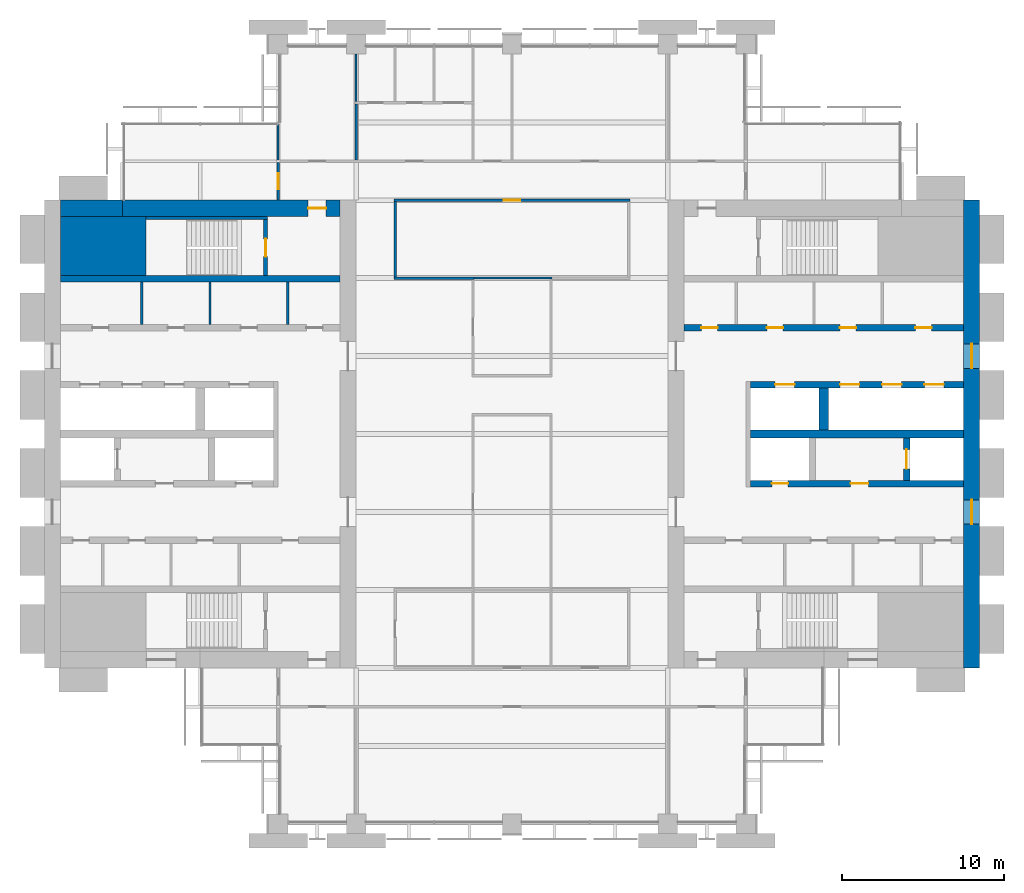
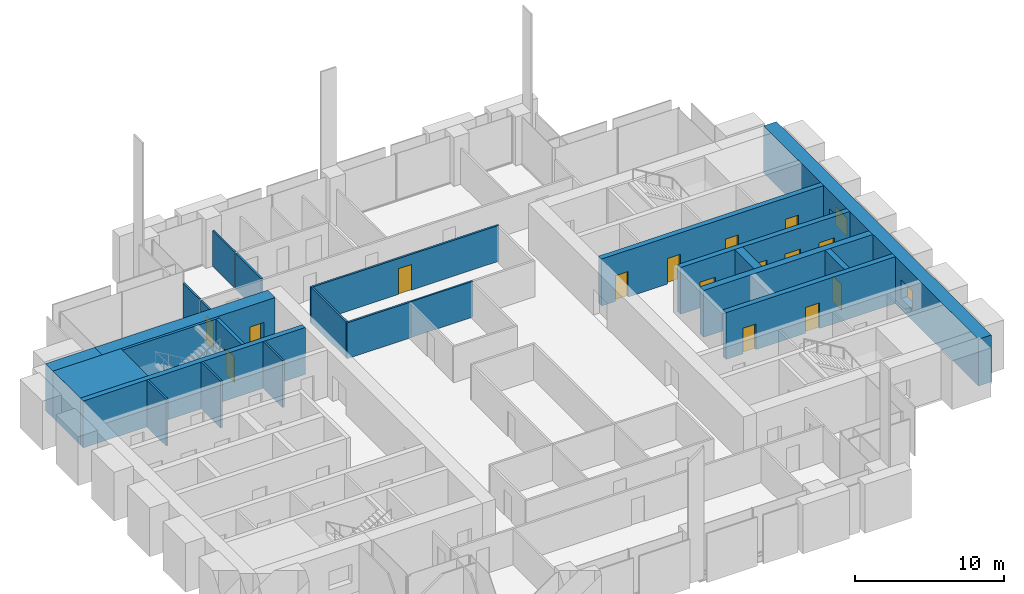
# One storey, part 11 of 14: 24 walls, 15 doors, 2 windows, 17 openings.
"""IFC4 building model written with IfcOpenShell, lengths in metres."""

from ifc_helpers import new_model, si_unit, direction, frame, frame_2d, origin, place, context, subcontext, project, spatial, rectangle, extrude, material, layer, layer_set, type_object, element, fill, save


model = new_model("IFC4")

# Units and contexts
model_context = context("Model", 3, precision=1e-05, world=origin(), true_north=direction((0.0, 1.0)))
body_context = subcontext(model_context, "Body", "Model", "MODEL_VIEW")
ifc_project = project(units=[si_unit("LENGTHUNIT", "METRE"), si_unit("AREAUNIT", "SQUARE_METRE"), si_unit("VOLUMEUNIT", "CUBIC_METRE"), si_unit("PLANEANGLEUNIT", "RADIAN"), si_unit("MASSUNIT", "GRAM", prefix="KILO")], contexts=[model_context])

# Site, building, storey
site_placement = place(None, origin())
site = spatial("IfcSite", under=ifc_project, at=site_placement, CompositionType="ELEMENT")
building_placement = place(site_placement, origin())
building = spatial("IfcBuilding", under=site, at=building_placement, Name="Baori Bourse Tower", CompositionType="ELEMENT")
storey_placement = place(building_placement, frame((0.0, 0.0, 132.10009765625)))
storey = spatial("IfcBuildingStorey", under=building, at=storey_placement, Name="L28", CompositionType="ELEMENT", Elevation=132.10009765625)

# Walls
ifc_material_1 = material(Name="Concrete f'c 60 MPa", Category="concrete")
wall_type_1 = type_object("IfcWallType", Name="Core corner block f'c 60", PredefinedType="SHEAR", material=ifc_material_1)
wall_1_placement = place(storey_placement, frame((1.0, 35.574951171875, 0.0), z_axis=(0.0, 0.0, 1.0), x_axis=(1.0, 0.0, 0.0)))
element("IfcWall", 1, at=wall_1_placement, inside=storey, type_object=wall_type_1, Name="Core wall W26", PredefinedType="SHEAR", context=body_context, shape_type="SweptSolid", body=[
    extrude(rectangle(XDim=5.25, YDim=3.64990234375, at=frame_2d((2.625, 0.0))), origin(), (0.0, 0.0, 1.0), 3.83984375),
])
ifc_material_2 = material(Name="Blockwork partition", Category="masonry")
ifc_layer_1 = layer(ifc_material_2, 0.14990234375)
ifc_layer_set_1 = layer_set([ifc_layer_1], Name="Core partition 150")
wall_type_2 = type_object("IfcWallType", Name="Core partition 150", PredefinedType="PARTITIONING", material=ifc_layer_set_1)
for number, where, z_axis, x_axis, name in (
    (2, (6.0, 30.75, 0.0), (0.0, 0.0, 1.0), (0.0, 1.0, 0.0), "Partition wall W22"),
    (3, (10.199951171875, 30.75, 0.0), (0.0, 0.0, 1.0), (0.0, 1.0, 0.0), "Partition wall W23"),
    (4, (15.0, 30.75, 0.0), (0.0, 0.0, 1.0), (0.0, 1.0, 0.0), "Partition wall W24"),
):
    element("IfcWall", number, at=place(storey_placement, frame(where, z_axis=z_axis, x_axis=x_axis)), inside=storey, type_object=wall_type_2, Name=name, PredefinedType="PARTITIONING", context=body_context, shape_type="SweptSolid", body=[
        extrude(rectangle(XDim=2.60009765625, YDim=0.14990234375, at=frame_2d((1.300048828125, 0.0))), origin(), (0.0, 0.0, 1.0), 3.83984375),
    ])
ifc_material_3 = material(Name="Concrete f'c 60 MPa", Category="concrete")
ifc_layer_2 = layer(ifc_material_3, 1.0)
ifc_layer_set_2 = layer_set([ifc_layer_2], Name="Core wall 1000 f'c 60")
wall_type_3 = type_object("IfcWallType", Name="Core wall 1000 f'c 60", PredefinedType="SHEAR", material=ifc_layer_set_2)
wall_2_placement = place(storey_placement, frame((1.0, 37.89990234375, 0.0), z_axis=(0.0, 0.0, 1.0), x_axis=(1.0, 0.0, 0.0)))
element("IfcWall", 5, at=wall_2_placement, inside=storey, type_object=wall_type_3, Name="Core wall W29", PredefinedType="SHEAR", context=body_context, shape_type="SweptSolid", body=[
    extrude(rectangle(XDim=3.800048828125, YDim=1.0, at=frame_2d((1.89990234375, 0.0))), origin(), (0.0, 0.0, 1.0), 3.83984375),
])

# Wall, opening, door
wall_3_placement = place(storey_placement, frame((4.800048828125, 37.89990234375, 0.0), z_axis=(0.0, 0.0, 1.0), x_axis=(1.0, 0.0, 0.0)))
wall_3 = element("IfcWall", 6, at=wall_3_placement, inside=storey, type_object=wall_type_3, Name="Core wall W30", PredefinedType="SHEAR", context=body_context, shape_type="SweptSolid", body=[
    extrude(rectangle(XDim=13.39990234375, YDim=1.0, at=frame_2d((6.699951171875, 0.0))), origin(), (0.0, 0.0, 1.0), 3.83984375),
])
opening_1_placement = place(wall_3_placement, frame((11.449951171875, 0.0, 0.0)))
opening_1 = element("IfcOpeningElement", 7, at=opening_1_placement, cuts=wall_3, Name="Opening L28-D104", PredefinedType="OPENING", context=body_context, shape_type="SweptSolid", body=[
    extrude(rectangle(XDim=1.10009765625, YDim=2.10009765625, at=frame_2d((0.550048828125, 1.050048828125))), frame((0.0, 0.510009765625, 0.0), z_axis=(0.0, -1.0, 0.0), x_axis=(1.0, 0.0, 0.0)), (0.0, 0.0, 1.0), 1.02001953125),
])
ifc_material_4 = material(Name="Painted steel door", Category="steel")
door_type_1 = type_object("IfcDoorType", Name="Stair door 1100", OperationType="SINGLE_SWING_LEFT", PredefinedType="DOOR", material=ifc_material_4)
door_1_placement = place(opening_1_placement, origin())
door_1 = element("IfcDoor", 8, at=door_1_placement, inside=storey, type_object=door_type_1, Name="Stair vestibule door B W L28", OperationType="SINGLE_SWING_LEFT", OverallHeight=2.10009765625, OverallWidth=1.10009765625, PredefinedType="DOOR", context=body_context, shape_type="SweptSolid", body=[
    extrude(rectangle(XDim=1.10009765625, YDim=2.10009765625, at=frame_2d((0.550048828125, 1.050048828125))), frame((0.0, 0.02490234375, 0.0), z_axis=(0.0, -1.0, 0.0), x_axis=(1.0, 0.0, 0.0)), (0.0, 0.0, 1.0), 0.050048828125),
])
fill(opening_1, door_1)

# Wall, openings, windows
wall_4_placement = place(storey_placement, frame((57.10009765625, 38.39990234375, 0.0), z_axis=(0.0, 0.0, 1.0), x_axis=(0.0, -1.0, 0.0)))
wall_4 = element("IfcWall", 9, at=wall_4_placement, inside=storey, type_object=wall_type_3, Name="Core wall E01", PredefinedType="SHEAR", context=body_context, shape_type="SweptSolid", body=[
    extrude(rectangle(XDim=28.7998046875, YDim=1.0, at=frame_2d((14.39990234375, 0.0))), origin(), (0.0, 0.0, 1.0), 3.83984375),
])
opening_2_placement = place(wall_4_placement, frame((18.449951171875, 0.0, 0.89990234375)))
opening_2 = element("IfcOpeningElement", 10, at=opening_2_placement, cuts=wall_4, Name="Opening L28-KW201", PredefinedType="OPENING", context=body_context, shape_type="SweptSolid", body=[
    extrude(rectangle(XDim=1.5, YDim=1.5, at=frame_2d((0.75, 0.75))), frame((0.0, 0.510009765625, 0.0), z_axis=(0.0, -1.0, 0.0), x_axis=(1.0, 0.0, 0.0)), (0.0, 0.0, 1.0), 1.02001953125),
])
opening_3_placement = place(wall_4_placement, frame((8.85009765625, 0.0, 0.89990234375)))
opening_3 = element("IfcOpeningElement", 11, at=opening_3_placement, cuts=wall_4, Name="Opening L28-KW202", PredefinedType="OPENING", context=body_context, shape_type="SweptSolid", body=[
    extrude(rectangle(XDim=1.5, YDim=1.5, at=frame_2d((0.75, 0.75))), frame((0.0, 0.510009765625, 0.0), z_axis=(0.0, -1.0, 0.0), x_axis=(1.0, 0.0, 0.0)), (0.0, 0.0, 1.0), 1.02001953125),
])
ifc_material_5 = material(Name="Pale anodised aluminium", Category="aluminium")
window_type = type_object("IfcWindowType", Name="Lobby window 1500 x 1500", PartitioningType="SINGLE_PANEL", PredefinedType="WINDOW", material=ifc_material_5)
window_1_placement = place(opening_2_placement, origin())
window_1 = element("IfcWindow", 12, at=window_1_placement, inside=storey, type_object=window_type, Name="Outer wall window E L28 1", OverallHeight=1.5, OverallWidth=1.5, PartitioningType="SINGLE_PANEL", PredefinedType="WINDOW", context=body_context, shape_type="SweptSolid", body=[
    extrude(rectangle(XDim=1.5, YDim=1.5, at=frame_2d((0.75, 0.75))), frame((0.0, 0.030029296875, 0.0), z_axis=(0.0, -1.0, 0.0), x_axis=(1.0, 0.0, 0.0)), (0.0, 0.0, 1.0), 0.06005859375),
])
fill(opening_2, window_1)
window_2_placement = place(opening_3_placement, origin())
window_2 = element("IfcWindow", 13, at=window_2_placement, inside=storey, type_object=window_type, Name="Outer wall window E L28 2", OverallHeight=1.5, OverallWidth=1.5, PartitioningType="SINGLE_PANEL", PredefinedType="WINDOW", context=body_context, shape_type="SweptSolid", body=[
    extrude(rectangle(XDim=1.5, YDim=1.5, at=frame_2d((0.75, 0.75))), frame((0.0, 0.030029296875, 0.0), z_axis=(0.0, -1.0, 0.0), x_axis=(1.0, 0.0, 0.0)), (0.0, 0.0, 1.0), 0.06005859375),
])
fill(opening_3, window_2)

# Wall
ifc_material_6 = material(Name="Gypsum board partition")
ifc_layer_3 = layer(ifc_material_6, 0.14990234375)
ifc_layer_set_3 = layer_set([ifc_layer_3], Name="Corridor partition 150")
wall_type_4 = type_object("IfcWallType", Name="Corridor partition 150", PredefinedType="PARTITIONING", material=ifc_layer_set_3)
wall_5_placement = place(storey_placement, frame((21.52490234375, 33.60009765625, 0.0), z_axis=(0.0, 0.0, 1.0), x_axis=(1.0, 0.0, 0.0)))
element("IfcWall", 14, at=wall_5_placement, inside=storey, type_object=wall_type_4, Name="Partition", PredefinedType="PARTITIONING", context=body_context, shape_type="SweptSolid", body=[
    extrude(rectangle(XDim=4.9501953125, YDim=0.14990234375, at=frame_2d((2.47509765625, 0.0))), origin(), (0.0, 0.0, 1.0), 2.935546875),
])

# Wall, opening, door
wall_6_placement = place(storey_placement, frame((21.52490234375, 38.39990234375, 0.0), z_axis=(0.0, 0.0, 1.0), x_axis=(1.0, 0.0, 0.0)))
wall_6 = element("IfcWall", 15, at=wall_6_placement, inside=storey, type_object=wall_type_4, Name="Partition", PredefinedType="PARTITIONING", context=body_context, shape_type="SweptSolid", body=[
    extrude(rectangle(XDim=14.550048828125, YDim=0.14990234375, at=frame_2d((7.27490234375, 0.0))), origin(), (0.0, 0.0, 1.0), 2.935546875),
])
opening_4_placement = place(wall_6_placement, frame((6.77490234375, 0.0, 0.0)))
opening_4 = element("IfcOpeningElement", 16, at=opening_4_placement, cuts=wall_6, Name="Opening L28-D06", PredefinedType="OPENING", context=body_context, shape_type="SweptSolid", body=[
    extrude(rectangle(XDim=1.0, YDim=2.10009765625, at=frame_2d((0.5, 1.050048828125))), frame((0.0, 0.0849609375, 0.0), z_axis=(0.0, -1.0, 0.0), x_axis=(1.0, 0.0, 0.0)), (0.0, 0.0, 1.0), 0.169921875),
])
ifc_material_7 = material(Name="Timber door leaf", Category="wood")
door_type_2 = type_object("IfcDoorType", Name="Door 1000 x 2100", OperationType="SINGLE_SWING_LEFT", PredefinedType="DOOR", material=ifc_material_7)
door_2_placement = place(opening_4_placement, origin())
door_2 = element("IfcDoor", 17, at=door_2_placement, inside=storey, type_object=door_type_2, Name="Door", OperationType="SINGLE_SWING_LEFT", OverallHeight=2.10009765625, OverallWidth=1.0, PredefinedType="DOOR", context=body_context, shape_type="SweptSolid", body=[
    extrude(rectangle(XDim=1.0, YDim=2.10009765625, at=frame_2d((0.5, 1.050048828125))), frame((0.0, 0.02490234375, 0.0), z_axis=(0.0, -1.0, 0.0), x_axis=(1.0, 0.0, 0.0)), (0.0, 0.0, 1.0), 0.050048828125),
])
fill(opening_4, door_2)

wall_7_placement = place(storey_placement, frame((14.39990234375, 38.39990234375, 0.0), z_axis=(0.0, 0.0, 1.0), x_axis=(0.0, 1.0, 0.0)))
wall_7 = element("IfcWall", 18, at=wall_7_placement, inside=storey, type_object=wall_type_4, Name="Partition", PredefinedType="PARTITIONING", context=body_context, shape_type="SweptSolid", body=[
    extrude(rectangle(XDim=2.3251953125, YDim=0.14990234375, at=frame_2d((1.16259765625, 0.0))), origin(), (0.0, 0.0, 1.0), 2.935546875),
])
opening_5_placement = place(wall_7_placement, frame((0.66259765625, 0.0, 0.0)))
opening_5 = element("IfcOpeningElement", 19, at=opening_5_placement, cuts=wall_7, Name="Opening L28-D16", PredefinedType="OPENING", context=body_context, shape_type="SweptSolid", body=[
    extrude(rectangle(XDim=1.0, YDim=2.10009765625, at=frame_2d((0.5, 1.050048828125))), frame((0.0, 0.0849609375, 0.0), z_axis=(0.0, -1.0, 0.0), x_axis=(1.0, 0.0, 0.0)), (0.0, 0.0, 1.0), 0.169921875),
])
door_3_placement = place(opening_5_placement, origin())
door_3 = element("IfcDoor", 20, at=door_3_placement, inside=storey, type_object=door_type_2, Name="Door", OperationType="SINGLE_SWING_RIGHT", OverallHeight=2.10009765625, OverallWidth=1.0, PredefinedType="DOOR", context=body_context, shape_type="SweptSolid", body=[
    extrude(rectangle(XDim=1.0, YDim=2.10009765625, at=frame_2d((0.5, 1.050048828125))), frame((0.0, 0.02490234375, 0.0), z_axis=(0.0, -1.0, 0.0), x_axis=(1.0, 0.0, 0.0)), (0.0, 0.0, 1.0), 0.050048828125),
])
fill(opening_5, door_3)

# Walls
wall_8_placement = place(storey_placement, frame((19.199951171875, 40.875, 0.0), z_axis=(0.0, 0.0, 1.0), x_axis=(0.0, 1.0, 0.0)))
element("IfcWall", 21, at=wall_8_placement, inside=storey, type_object=wall_type_4, Name="Partition", PredefinedType="PARTITIONING", context=body_context, shape_type="SweptSolid", body=[
    extrude(rectangle(XDim=3.449951171875, YDim=0.14990234375, at=frame_2d((1.72509765625, 0.0))), origin(), (0.0, 0.0, 1.0), 2.935546875),
])
wall_9_placement = place(storey_placement, frame((21.60009765625, 33.675048828125, 0.0), z_axis=(0.0, 0.0, 1.0), x_axis=(0.0, 1.0, 0.0)))
element("IfcWall", 22, at=wall_9_placement, inside=storey, type_object=wall_type_4, Name="Partition", PredefinedType="PARTITIONING", context=body_context, shape_type="SweptSolid", body=[
    extrude(rectangle(XDim=4.64990234375, YDim=0.14990234375, at=frame_2d((2.324951171875, 0.0))), origin(), (0.0, 0.0, 1.0), 2.935546875),
])
ifc_material_8 = material(Name="Gypsum board partition")
ifc_layer_4 = layer(ifc_material_8, 0.125)
ifc_layer_set_4 = layer_set([ifc_layer_4], Name="Partition 125")
wall_type_5 = type_object("IfcWallType", Name="Partition 125", PredefinedType="PARTITIONING", material=ifc_layer_set_4)
wall_10_placement = place(storey_placement, frame((26.47509765625, 33.60009765625, 0.0), z_axis=(0.0, 0.0, 1.0), x_axis=(1.0, 0.0, 0.0)))
element("IfcWall", 23, at=wall_10_placement, inside=storey, type_object=wall_type_5, Name="Partition", PredefinedType="PARTITIONING", context=body_context, shape_type="SweptSolid", body=[
    extrude(rectangle(XDim=4.7998046875, YDim=0.125, at=frame_2d((2.39990234375, 0.0))), origin(), (0.0, 0.0, 1.0), 2.935546875),
])
wall_11_placement = place(storey_placement, frame((14.39990234375, 40.875, 0.0), z_axis=(0.0, 0.0, 1.0), x_axis=(0.0, 1.0, 0.0)))
element("IfcWall", 24, at=wall_11_placement, inside=storey, type_object=wall_type_5, Name="Partition", PredefinedType="PARTITIONING", context=body_context, shape_type="SweptSolid", body=[
    extrude(rectangle(XDim=2.22509765625, YDim=0.125, at=frame_2d((1.112548828125, 0.0))), origin(), (0.0, 0.0, 1.0), 2.935546875),
])
wall_12_placement = place(storey_placement, frame((19.199951171875, 44.47509765625, 0.0), z_axis=(0.0, 0.0, 1.0), x_axis=(0.0, 1.0, 0.0)))
element("IfcWall", 25, at=wall_12_placement, inside=storey, type_object=wall_type_5, Name="Partition", PredefinedType="PARTITIONING", context=body_context, shape_type="SweptSolid", body=[
    extrude(rectangle(XDim=2.9248046875, YDim=0.125, at=frame_2d((1.46240234375, 0.0))), origin(), (0.0, 0.0, 1.0), 2.935546875),
])
ifc_material_9 = material(Name="Concrete f'c 60 MPa", Category="concrete")
ifc_layer_5 = layer(ifc_material_9, 0.199951171875)
ifc_layer_set_5 = layer_set([ifc_layer_5], Name="Shaft wall 200 f'c 60")
wall_type_6 = type_object("IfcWallType", Name="Shaft wall 200 f'c 60", PredefinedType="SHEAR", material=ifc_layer_set_5)
wall_13_placement = place(storey_placement, frame((6.25, 37.300048828125, 0.0), z_axis=(0.0, 0.0, 1.0), x_axis=(1.0, 0.0, 0.0)))
element("IfcWall", 26, at=wall_13_placement, inside=storey, type_object=wall_type_6, Name="Core wall W28", PredefinedType="SHEAR", context=body_context, shape_type="SweptSolid", body=[
    extrude(rectangle(XDim=7.5, YDim=0.199951171875, at=frame_2d((3.75, 0.0))), origin(), (0.0, 0.0, 1.0), 3.83984375),
])

# Wall, opening, door
ifc_material_10 = material(Name="Concrete f'c 60 MPa", Category="concrete")
ifc_layer_6 = layer(ifc_material_10, 0.25)
ifc_layer_set_6 = layer_set([ifc_layer_6], Name="Shaft wall 250 f'c 60")
wall_type_7 = type_object("IfcWallType", Name="Shaft wall 250 f'c 60", PredefinedType="SHEAR", material=ifc_layer_set_6)
wall_14_placement = place(storey_placement, frame((13.625, 33.75, 0.0), z_axis=(0.0, 0.0, 1.0), x_axis=(0.0, 1.0, 0.0)))
wall_14 = element("IfcWall", 27, at=wall_14_placement, inside=storey, type_object=wall_type_7, Name="Core wall W27", PredefinedType="SHEAR", context=body_context, shape_type="SweptSolid", body=[
    extrude(rectangle(XDim=3.449951171875, YDim=0.25, at=frame_2d((1.72509765625, 0.0))), origin(), (0.0, 0.0, 1.0), 3.83984375),
])
opening_6_placement = place(wall_14_placement, frame((1.175048828125, 0.0, 0.0)))
opening_6 = element("IfcOpeningElement", 28, at=opening_6_placement, cuts=wall_14, Name="Opening L28-D103", PredefinedType="OPENING", context=body_context, shape_type="SweptSolid", body=[
    extrude(rectangle(XDim=1.10009765625, YDim=2.10009765625, at=frame_2d((0.550048828125, 1.050048828125))), frame((0.0, 0.135009765625, 0.0), z_axis=(0.0, -1.0, 0.0), x_axis=(1.0, 0.0, 0.0)), (0.0, 0.0, 1.0), 0.27001953125),
])
door_4_placement = place(opening_6_placement, origin())
door_4 = element("IfcDoor", 29, at=door_4_placement, inside=storey, type_object=door_type_1, Name="Stair door B W L28", OperationType="SINGLE_SWING_LEFT", OverallHeight=2.10009765625, OverallWidth=1.10009765625, PredefinedType="DOOR", context=body_context, shape_type="SweptSolid", body=[
    extrude(rectangle(XDim=1.10009765625, YDim=2.10009765625, at=frame_2d((0.550048828125, 1.050048828125))), frame((0.0, 0.02490234375, 0.0), z_axis=(0.0, -1.0, 0.0), x_axis=(1.0, 0.0, 0.0)), (0.0, 0.0, 1.0), 0.050048828125),
])
fill(opening_6, door_4)

# Wall
ifc_material_11 = material(Name="Concrete f'c 60 MPa", Category="concrete")
ifc_layer_7 = layer(ifc_material_11, 0.39990234375)
ifc_layer_set_7 = layer_set([ifc_layer_7], Name="Shaft wall 400 f'c 60")
wall_type_8 = type_object("IfcWallType", Name="Shaft wall 400 f'c 60", PredefinedType="SHEAR", material=ifc_layer_set_7)
wall_15_placement = place(storey_placement, frame((1.0, 33.550048828125, 0.0), z_axis=(0.0, 0.0, 1.0), x_axis=(1.0, 0.0, 0.0)))
element("IfcWall", 30, at=wall_15_placement, inside=storey, type_object=wall_type_8, Name="Core wall W25", PredefinedType="SHEAR", context=body_context, shape_type="SweptSolid", body=[
    extrude(rectangle(XDim=17.199951171875, YDim=0.39990234375, at=frame_2d((8.60009765625, 0.0))), origin(), (0.0, 0.0, 1.0), 3.83984375),
])

# Wall, openings, doors
wall_16_placement = place(storey_placement, frame((43.5, 20.949951171875, 0.0), z_axis=(0.0, 0.0, 1.0), x_axis=(1.0, 0.0, 0.0)))
wall_16 = element("IfcWall", 31, at=wall_16_placement, inside=storey, type_object=wall_type_8, Name="Core wall E14", PredefinedType="SHEAR", context=body_context, shape_type="SweptSolid", body=[
    extrude(rectangle(XDim=13.10009765625, YDim=0.39990234375, at=frame_2d((6.550048828125, 0.0))), origin(), (0.0, 0.0, 1.0), 3.83984375),
])
opening_7_placement = place(wall_16_placement, frame((6.14990234375, 0.0, 0.0)))
opening_7 = element("IfcOpeningElement", 32, at=opening_7_placement, cuts=wall_16, Name="Opening L28-D205", PredefinedType="OPENING", context=body_context, shape_type="SweptSolid", body=[
    extrude(rectangle(XDim=1.10009765625, YDim=2.10009765625, at=frame_2d((0.550048828125, 1.050048828125))), frame((0.0, 0.2099609375, 0.0), z_axis=(0.0, -1.0, 0.0), x_axis=(1.0, 0.0, 0.0)), (0.0, 0.0, 1.0), 0.419921875),
])
opening_8_placement = place(wall_16_placement, frame((1.300048828125, 0.0, 0.0)))
opening_8 = element("IfcOpeningElement", 33, at=opening_8_placement, cuts=wall_16, Name="Opening L28-D206", PredefinedType="OPENING", context=body_context, shape_type="SweptSolid", body=[
    extrude(rectangle(XDim=1.0, YDim=2.10009765625, at=frame_2d((0.5, 1.050048828125))), frame((0.0, 0.2099609375, 0.0), z_axis=(0.0, -1.0, 0.0), x_axis=(1.0, 0.0, 0.0)), (0.0, 0.0, 1.0), 0.419921875),
])
ifc_material_12 = material(Name="Painted steel door", Category="steel")
door_type_3 = type_object("IfcDoorType", Name="Lobby door 1100", OperationType="SINGLE_SWING_LEFT", PredefinedType="DOOR", material=ifc_material_12)
door_5_placement = place(opening_7_placement, origin())
door_5 = element("IfcDoor", 34, at=door_5_placement, inside=storey, type_object=door_type_3, Name="Firefighting lobby door E L28", OperationType="SINGLE_SWING_LEFT", OverallHeight=2.10009765625, OverallWidth=1.10009765625, PredefinedType="DOOR", context=body_context, shape_type="SweptSolid", body=[
    extrude(rectangle(XDim=1.10009765625, YDim=2.10009765625, at=frame_2d((0.550048828125, 1.050048828125))), frame((0.0, 0.02490234375, 0.0), z_axis=(0.0, -1.0, 0.0), x_axis=(1.0, 0.0, 0.0)), (0.0, 0.0, 1.0), 0.050048828125),
])
fill(opening_7, door_5)
ifc_material_13 = material(Name="Painted steel door", Category="steel")
door_type_4 = type_object("IfcDoorType", Name="Shaft door 1000", OperationType="SINGLE_SWING_LEFT", PredefinedType="DOOR", material=ifc_material_13)
door_6_placement = place(opening_8_placement, origin())
door_6 = element("IfcDoor", 35, at=door_6_placement, inside=storey, type_object=door_type_4, Name="Riser room door E L28", OperationType="SINGLE_SWING_LEFT", OverallHeight=2.10009765625, OverallWidth=1.0, PredefinedType="DOOR", context=body_context, shape_type="SweptSolid", body=[
    extrude(rectangle(XDim=1.0, YDim=2.10009765625, at=frame_2d((0.5, 1.050048828125))), frame((0.0, 0.02490234375, 0.0), z_axis=(0.0, -1.0, 0.0), x_axis=(1.0, 0.0, 0.0)), (0.0, 0.0, 1.0), 0.050048828125),
])
fill(opening_8, door_6)

# Wall, opening, door
wall_17_placement = place(storey_placement, frame((53.10009765625, 21.14990234375, 0.0), z_axis=(0.0, 0.0, 1.0), x_axis=(0.0, 1.0, 0.0)))
wall_17 = element("IfcWall", 36, at=wall_17_placement, inside=storey, type_object=wall_type_8, Name="Core wall E16", PredefinedType="SHEAR", context=body_context, shape_type="SweptSolid", body=[
    extrude(rectangle(XDim=2.60009765625, YDim=0.39990234375, at=frame_2d((1.300048828125, 0.0))), origin(), (0.0, 0.0, 1.0), 3.83984375),
])
opening_9_placement = place(wall_17_placement, frame((0.699951171875, 0.0, 0.0)))
opening_9 = element("IfcOpeningElement", 37, at=opening_9_placement, cuts=wall_17, Name="Opening L28-D221", PredefinedType="OPENING", context=body_context, shape_type="SweptSolid", body=[
    extrude(rectangle(XDim=1.199951171875, YDim=2.10009765625, at=frame_2d((0.60009765625, 1.050048828125))), frame((0.0, 0.2099609375, 0.0), z_axis=(0.0, -1.0, 0.0), x_axis=(1.0, 0.0, 0.0)), (0.0, 0.0, 1.0), 0.419921875),
])
ifc_material_14 = material(Name="Stainless steel door", Category="steel")
door_type_5 = type_object("IfcDoorType", Name="Lift landing door", OperationType="DOUBLE_DOOR_SLIDING", PredefinedType="DOOR", material=ifc_material_14)
door_7_placement = place(opening_9_placement, origin())
door_7 = element("IfcDoor", 38, at=door_7_placement, inside=storey, type_object=door_type_5, Name="Lift landing door FF2 E L28", OperationType="DOUBLE_DOOR_SLIDING", OverallHeight=2.10009765625, OverallWidth=1.199951171875, PredefinedType="DOOR", context=body_context, shape_type="SweptSolid", body=[
    extrude(rectangle(XDim=1.199951171875, YDim=2.10009765625, at=frame_2d((0.60009765625, 1.050048828125))), frame((0.0, 0.02490234375, 0.0), z_axis=(0.0, -1.0, 0.0), x_axis=(1.0, 0.0, 0.0)), (0.0, 0.0, 1.0), 0.050048828125),
])
fill(opening_9, door_7)

# Wall, openings, doors
wall_18_placement = place(storey_placement, frame((43.5, 27.050048828125, 0.0), z_axis=(0.0, 0.0, 1.0), x_axis=(1.0, 0.0, 0.0)))
wall_18 = element("IfcWall", 39, at=wall_18_placement, inside=storey, type_object=wall_type_8, Name="Core wall E20", PredefinedType="SHEAR", context=body_context, shape_type="SweptSolid", body=[
    extrude(rectangle(XDim=13.10009765625, YDim=0.39990234375, at=frame_2d((6.550048828125, 0.0))), origin(), (0.0, 0.0, 1.0), 3.83984375),
])
opening_10_placement = place(wall_18_placement, frame((10.699951171875, 0.0, 0.0)))
opening_10 = element("IfcOpeningElement", 40, at=opening_10_placement, cuts=wall_18, Name="Opening L28-D217", PredefinedType="OPENING", context=body_context, shape_type="SweptSolid", body=[
    extrude(rectangle(XDim=1.199951171875, YDim=2.10009765625, at=frame_2d((0.60009765625, 1.050048828125))), frame((0.0, 0.2099609375, 0.0), z_axis=(0.0, -1.0, 0.0), x_axis=(1.0, 0.0, 0.0)), (0.0, 0.0, 1.0), 0.419921875),
])
opening_11_placement = place(wall_18_placement, frame((8.10009765625, 0.0, 0.0)))
opening_11 = element("IfcOpeningElement", 41, at=opening_11_placement, cuts=wall_18, Name="Opening L28-D218", PredefinedType="OPENING", context=body_context, shape_type="SweptSolid", body=[
    extrude(rectangle(XDim=1.199951171875, YDim=2.10009765625, at=frame_2d((0.60009765625, 1.050048828125))), frame((0.0, 0.2099609375, 0.0), z_axis=(0.0, -1.0, 0.0), x_axis=(1.0, 0.0, 0.0)), (0.0, 0.0, 1.0), 0.419921875),
])
opening_12_placement = place(wall_18_placement, frame((5.5, 0.0, 0.0)))
opening_12 = element("IfcOpeningElement", 42, at=opening_12_placement, cuts=wall_18, Name="Opening L28-D219", PredefinedType="OPENING", context=body_context, shape_type="SweptSolid", body=[
    extrude(rectangle(XDim=1.199951171875, YDim=2.10009765625, at=frame_2d((0.60009765625, 1.050048828125))), frame((0.0, 0.2099609375, 0.0), z_axis=(0.0, -1.0, 0.0), x_axis=(1.0, 0.0, 0.0)), (0.0, 0.0, 1.0), 0.419921875),
])
opening_13_placement = place(wall_18_placement, frame((1.5, 0.0, 0.0)))
opening_13 = element("IfcOpeningElement", 43, at=opening_13_placement, cuts=wall_18, Name="Opening L28-D220", PredefinedType="OPENING", context=body_context, shape_type="SweptSolid", body=[
    extrude(rectangle(XDim=1.199951171875, YDim=2.10009765625, at=frame_2d((0.60009765625, 1.050048828125))), frame((0.0, 0.2099609375, 0.0), z_axis=(0.0, -1.0, 0.0), x_axis=(1.0, 0.0, 0.0)), (0.0, 0.0, 1.0), 0.419921875),
])
door_8_placement = place(opening_10_placement, origin())
door_8 = element("IfcDoor", 44, at=door_8_placement, inside=storey, type_object=door_type_5, Name="Lift landing door SH1 E L28", OperationType="DOUBLE_DOOR_SLIDING", OverallHeight=2.10009765625, OverallWidth=1.199951171875, PredefinedType="DOOR", context=body_context, shape_type="SweptSolid", body=[
    extrude(rectangle(XDim=1.199951171875, YDim=2.10009765625, at=frame_2d((0.60009765625, 1.050048828125))), frame((0.0, 0.02490234375, 0.0), z_axis=(0.0, -1.0, 0.0), x_axis=(1.0, 0.0, 0.0)), (0.0, 0.0, 1.0), 0.050048828125),
])
fill(opening_10, door_8)
door_9_placement = place(opening_11_placement, origin())
door_9 = element("IfcDoor", 45, at=door_9_placement, inside=storey, type_object=door_type_5, Name="Lift landing door SH2 E L28", OperationType="DOUBLE_DOOR_SLIDING", OverallHeight=2.10009765625, OverallWidth=1.199951171875, PredefinedType="DOOR", context=body_context, shape_type="SweptSolid", body=[
    extrude(rectangle(XDim=1.199951171875, YDim=2.10009765625, at=frame_2d((0.60009765625, 1.050048828125))), frame((0.0, 0.02490234375, 0.0), z_axis=(0.0, -1.0, 0.0), x_axis=(1.0, 0.0, 0.0)), (0.0, 0.0, 1.0), 0.050048828125),
])
fill(opening_11, door_9)
door_10_placement = place(opening_12_placement, origin())
door_10 = element("IfcDoor", 46, at=door_10_placement, inside=storey, type_object=door_type_5, Name="Lift landing door SH3 E L28", OperationType="DOUBLE_DOOR_SLIDING", OverallHeight=2.10009765625, OverallWidth=1.199951171875, PredefinedType="DOOR", context=body_context, shape_type="SweptSolid", body=[
    extrude(rectangle(XDim=1.199951171875, YDim=2.10009765625, at=frame_2d((0.60009765625, 1.050048828125))), frame((0.0, 0.02490234375, 0.0), z_axis=(0.0, -1.0, 0.0), x_axis=(1.0, 0.0, 0.0)), (0.0, 0.0, 1.0), 0.050048828125),
])
fill(opening_12, door_10)
door_11_placement = place(opening_13_placement, origin())
door_11 = element("IfcDoor", 47, at=door_11_placement, inside=storey, type_object=door_type_5, Name="Lift landing door SV1 E L28", OperationType="DOUBLE_DOOR_SLIDING", OverallHeight=2.10009765625, OverallWidth=1.199951171875, PredefinedType="DOOR", context=body_context, shape_type="SweptSolid", body=[
    extrude(rectangle(XDim=1.199951171875, YDim=2.10009765625, at=frame_2d((0.60009765625, 1.050048828125))), frame((0.0, 0.02490234375, 0.0), z_axis=(0.0, -1.0, 0.0), x_axis=(1.0, 0.0, 0.0)), (0.0, 0.0, 1.0), 0.050048828125),
])
fill(opening_13, door_11)

wall_19_placement = place(storey_placement, frame((39.39990234375, 30.550048828125, 0.0), z_axis=(0.0, 0.0, 1.0), x_axis=(1.0, 0.0, 0.0)))
wall_19 = element("IfcWall", 48, at=wall_19_placement, inside=storey, type_object=wall_type_8, Name="Core wall E21", PredefinedType="SHEAR", context=body_context, shape_type="SweptSolid", body=[
    extrude(rectangle(XDim=17.2001953125, YDim=0.39990234375, at=frame_2d((8.60009765625, 0.0))), origin(), (0.0, 0.0, 1.0), 3.83984375),
])
opening_14_placement = place(wall_19_placement, frame((14.237548828125, 0.0, 0.0)))
opening_14 = element("IfcOpeningElement", 49, at=opening_14_placement, cuts=wall_19, Name="Opening L28-D209", PredefinedType="OPENING", context=body_context, shape_type="SweptSolid", body=[
    extrude(rectangle(XDim=1.0, YDim=2.10009765625, at=frame_2d((0.5, 1.050048828125))), frame((0.0, 0.2099609375, 0.0), z_axis=(0.0, -1.0, 0.0), x_axis=(1.0, 0.0, 0.0)), (0.0, 0.0, 1.0), 0.419921875),
])
opening_15_placement = place(wall_19_placement, frame((9.60009765625, 0.0, 0.0)))
opening_15 = element("IfcOpeningElement", 50, at=opening_15_placement, cuts=wall_19, Name="Opening L28-D210", PredefinedType="OPENING", context=body_context, shape_type="SweptSolid", body=[
    extrude(rectangle(XDim=1.0, YDim=2.10009765625, at=frame_2d((0.5, 1.050048828125))), frame((0.0, 0.2099609375, 0.0), z_axis=(0.0, -1.0, 0.0), x_axis=(1.0, 0.0, 0.0)), (0.0, 0.0, 1.0), 0.419921875),
])
opening_16_placement = place(wall_19_placement, frame((5.10009765625, 0.0, 0.0)))
opening_16 = element("IfcOpeningElement", 51, at=opening_16_placement, cuts=wall_19, Name="Opening L28-D211", PredefinedType="OPENING", context=body_context, shape_type="SweptSolid", body=[
    extrude(rectangle(XDim=1.0, YDim=2.10009765625, at=frame_2d((0.5, 1.050048828125))), frame((0.0, 0.2099609375, 0.0), z_axis=(0.0, -1.0, 0.0), x_axis=(1.0, 0.0, 0.0)), (0.0, 0.0, 1.0), 0.419921875),
])
opening_17_placement = place(wall_19_placement, frame((1.0625, 0.0, 0.0)))
opening_17 = element("IfcOpeningElement", 52, at=opening_17_placement, cuts=wall_19, Name="Opening L28-D212", PredefinedType="OPENING", context=body_context, shape_type="SweptSolid", body=[
    extrude(rectangle(XDim=1.0, YDim=2.10009765625, at=frame_2d((0.5, 1.050048828125))), frame((0.0, 0.2099609375, 0.0), z_axis=(0.0, -1.0, 0.0), x_axis=(1.0, 0.0, 0.0)), (0.0, 0.0, 1.0), 0.419921875),
])
ifc_material_15 = material(Name="Painted steel door", Category="steel")
door_type_6 = type_object("IfcDoorType", Name="Core door 1000", OperationType="SINGLE_SWING_LEFT", PredefinedType="DOOR", material=ifc_material_15)
door_12_placement = place(opening_14_placement, origin())
door_12 = element("IfcDoor", 53, at=door_12_placement, inside=storey, type_object=door_type_6, Name="Men'S Wc door E L28", OperationType="SINGLE_SWING_LEFT", OverallHeight=2.10009765625, OverallWidth=1.0, PredefinedType="DOOR", context=body_context, shape_type="SweptSolid", body=[
    extrude(rectangle(XDim=1.0, YDim=2.10009765625, at=frame_2d((0.5, 1.050048828125))), frame((0.0, 0.02490234375, 0.0), z_axis=(0.0, -1.0, 0.0), x_axis=(1.0, 0.0, 0.0)), (0.0, 0.0, 1.0), 0.050048828125),
])
fill(opening_14, door_12)
door_13_placement = place(opening_15_placement, origin())
door_13 = element("IfcDoor", 54, at=door_13_placement, inside=storey, type_object=door_type_6, Name="Accessible Wc door E L28", OperationType="SINGLE_SWING_LEFT", OverallHeight=2.10009765625, OverallWidth=1.0, PredefinedType="DOOR", context=body_context, shape_type="SweptSolid", body=[
    extrude(rectangle(XDim=1.0, YDim=2.10009765625, at=frame_2d((0.5, 1.050048828125))), frame((0.0, 0.02490234375, 0.0), z_axis=(0.0, -1.0, 0.0), x_axis=(1.0, 0.0, 0.0)), (0.0, 0.0, 1.0), 0.050048828125),
])
fill(opening_15, door_13)
door_14_placement = place(opening_16_placement, origin())
door_14 = element("IfcDoor", 55, at=door_14_placement, inside=storey, type_object=door_type_6, Name="Women'S Wc door E L28", OperationType="SINGLE_SWING_LEFT", OverallHeight=2.10009765625, OverallWidth=1.0, PredefinedType="DOOR", context=body_context, shape_type="SweptSolid", body=[
    extrude(rectangle(XDim=1.0, YDim=2.10009765625, at=frame_2d((0.5, 1.050048828125))), frame((0.0, 0.02490234375, 0.0), z_axis=(0.0, -1.0, 0.0), x_axis=(1.0, 0.0, 0.0)), (0.0, 0.0, 1.0), 0.050048828125),
])
fill(opening_16, door_14)
ifc_material_16 = material(Name="Painted steel door", Category="steel")
door_type_7 = type_object("IfcDoorType", Name="Plant room door 1000", OperationType="SINGLE_SWING_LEFT", PredefinedType="DOOR", material=ifc_material_16)
door_15_placement = place(opening_17_placement, origin())
door_15 = element("IfcDoor", 56, at=door_15_placement, inside=storey, type_object=door_type_7, Name="Plumbing Equipment Room door E L28", OperationType="SINGLE_SWING_LEFT", OverallHeight=2.10009765625, OverallWidth=1.0, PredefinedType="DOOR", context=body_context, shape_type="SweptSolid", body=[
    extrude(rectangle(XDim=1.0, YDim=2.10009765625, at=frame_2d((0.5, 1.050048828125))), frame((0.0, 0.02490234375, 0.0), z_axis=(0.0, -1.0, 0.0), x_axis=(1.0, 0.0, 0.0)), (0.0, 0.0, 1.0), 0.050048828125),
])
fill(opening_17, door_15)

# Walls
ifc_material_17 = material(Name="Concrete f'c 60 MPa", Category="concrete")
ifc_layer_8 = layer(ifc_material_17, 0.5)
ifc_layer_set_8 = layer_set([ifc_layer_8], Name="Shaft wall 500 f'c 60")
wall_type_9 = type_object("IfcWallType", Name="Shaft wall 500 f'c 60", PredefinedType="SHEAR", material=ifc_layer_set_8)
wall_20_placement = place(storey_placement, frame((43.5, 24.0, 0.0), z_axis=(0.0, 0.0, 1.0), x_axis=(1.0, 0.0, 0.0)))
element("IfcWall", 57, at=wall_20_placement, inside=storey, type_object=wall_type_9, Name="Core wall E18", PredefinedType="SHEAR", context=body_context, shape_type="SweptSolid", body=[
    extrude(rectangle(XDim=13.10009765625, YDim=0.5, at=frame_2d((6.550048828125, 0.0))), origin(), (0.0, 0.0, 1.0), 3.83984375),
])
ifc_material_18 = material(Name="Concrete f'c 60 MPa", Category="concrete")
ifc_layer_9 = layer(ifc_material_18, 0.60009765625)
ifc_layer_set_9 = layer_set([ifc_layer_9], Name="Shaft wall 600 f'c 60")
wall_type_10 = type_object("IfcWallType", Name="Shaft wall 600 f'c 60", PredefinedType="SHEAR", material=ifc_layer_set_9)
wall_21_placement = place(storey_placement, frame((48.0, 24.25, 0.0), z_axis=(0.0, 0.0, 1.0), x_axis=(0.0, 1.0, 0.0)))
element("IfcWall", 58, at=wall_21_placement, inside=storey, type_object=wall_type_10, Name="Core wall E19", PredefinedType="SHEAR", context=body_context, shape_type="SweptSolid", body=[
    extrude(rectangle(XDim=2.60009765625, YDim=0.60009765625, at=frame_2d((1.300048828125, 0.0))), origin(), (0.0, 0.0, 1.0), 3.83984375),
])

save(model, "model.ifc")
